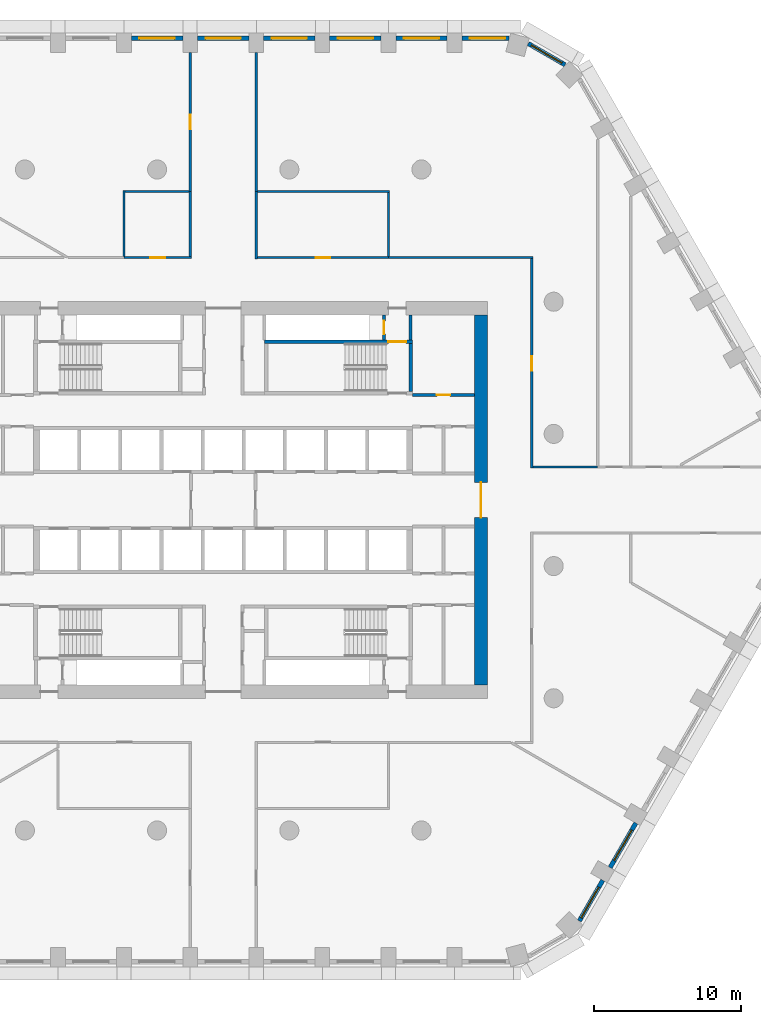
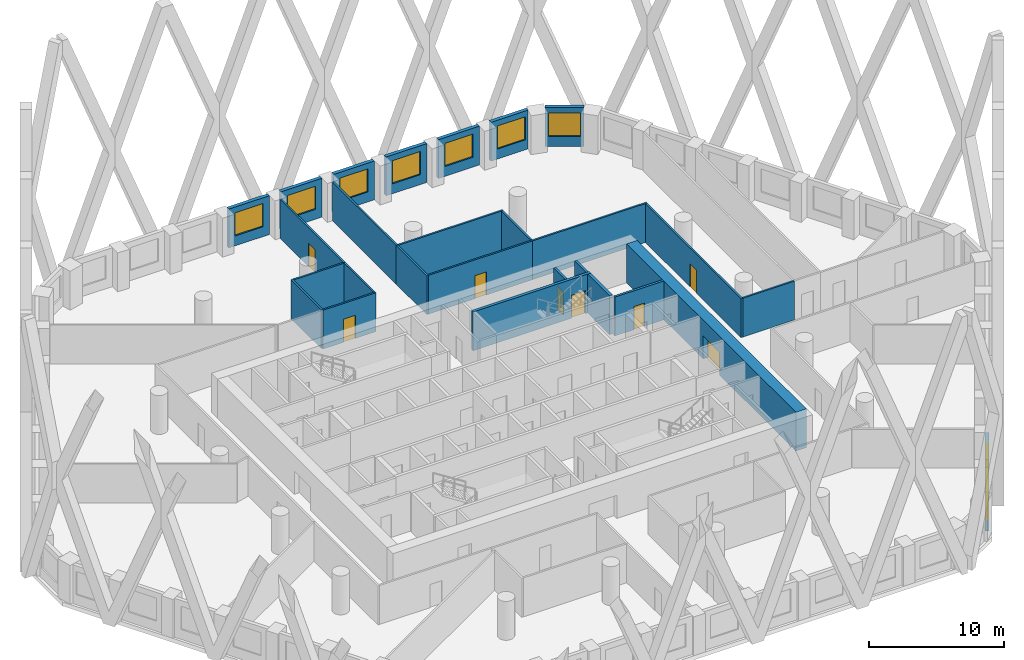
# One storey, part 7 of 18: 28 walls, 9 windows, 8 doors, 17 openings.
"""IFC4 building model written with IfcOpenShell, lengths in metres."""

from ifc_helpers import new_model, si_unit, direction, frame, frame_2d, origin, place, context, subcontext, project, spatial, rectangle, extrude, material, layer, layer_set, type_object, element, fill, save


model = new_model("IFC4")

# Units and contexts
model_context = context("Model", 3, precision=1e-05, world=origin(), true_north=direction((0.0, 1.0)))
body_context = subcontext(model_context, "Body", "Model", "MODEL_VIEW")
ifc_project = project(units=[si_unit("LENGTHUNIT", "METRE"), si_unit("AREAUNIT", "SQUARE_METRE"), si_unit("VOLUMEUNIT", "CUBIC_METRE"), si_unit("PLANEANGLEUNIT", "RADIAN"), si_unit("MASSUNIT", "GRAM", prefix="KILO")], contexts=[model_context])

# Site, building, storey
site_placement = place(None, origin())
site = spatial("IfcSite", under=ifc_project, at=site_placement, CompositionType="ELEMENT")
building_placement = place(site_placement, origin())
building = spatial("IfcBuilding", under=site, at=building_placement, Name="Dhurran Vertical Campus", CompositionType="ELEMENT")
storey_placement = place(building_placement, frame((0.0, 0.0, 81.300048828125)))
storey = spatial("IfcBuildingStorey", under=building, at=storey_placement, Name="L19", CompositionType="ELEMENT", Elevation=81.300048828125)

# Wall, opening, window
ifc_material_1 = material(Name="Precast concrete C50/60", Category="concrete")
ifc_layer_1 = layer(ifc_material_1, 0.300048828125)
ifc_layer_set_1 = layer_set([ifc_layer_1], Name="Precast concrete C50/60")
wall_type_1 = type_object("IfcWallType", Name="Precast spandrel wall 300", PredefinedType="SOLIDWALL", material=ifc_layer_set_1)
wall_1_placement = place(storey_placement, frame((24.24755859375, -28.65576171875, 0.0), z_axis=(0.0, 0.0, 1.0), x_axis=(0.500004907028, 0.866022570692, 0.0)))
wall_1 = element("IfcWall", 1, at=wall_1_placement, inside=storey, type_object=wall_type_1, Name="EW1 L19.10", PredefinedType="SOLIDWALL", context=body_context, shape_type="SweptSolid", body=[
    extrude(rectangle(XDim=3.1923828125, YDim=0.300048828125, at=frame_2d((1.59619140625, 0.0))), origin(), (0.0, 0.0, 1.0), 3.52490234375),
])
opening_1_placement = place(wall_1_placement, frame((0.242919921875, 0.0, 0.89990234375)))
opening_1 = element("IfcOpeningElement", 2, at=opening_1_placement, cuts=wall_1, Name="Opening WT1", PredefinedType="OPENING", context=body_context, shape_type="SweptSolid", body=[
    extrude(rectangle(XDim=2.39990234375, YDim=2.10009765625, at=frame_2d((1.199951171875, 1.050048828125))), frame((0.0, 0.159912109375, 0.0), z_axis=(0.0, -1.0, 0.0), x_axis=(1.0, 0.0, 0.0)), (0.0, 0.0, 1.0), 0.320068359375),
])
ifc_material_2 = material(Name="Aluminium frame with solar-control glass", Category="aluminium")
window_type = type_object("IfcWindowType", Name="Punched window 2400 x 2100", PartitioningType="SINGLE_PANEL", PredefinedType="WINDOW", material=ifc_material_2)
window_1_placement = place(opening_1_placement, origin())
window_1 = element("IfcWindow", 3, at=window_1_placement, inside=storey, type_object=window_type, Name="WT1 L19.10", OverallHeight=2.10009765625, OverallWidth=2.39990234375, PartitioningType="SINGLE_PANEL", PredefinedType="WINDOW", context=body_context, shape_type="SweptSolid", body=[
    extrude(rectangle(XDim=2.39990234375, YDim=2.10009765625, at=frame_2d((1.199951171875, 1.050048828125))), frame((0.0, 0.030029296875, 0.0), z_axis=(0.0, -1.0, 0.0), x_axis=(1.0, 0.0, 0.0)), (0.0, 0.0, 1.0), 0.06005859375),
])
fill(opening_1, window_1)

wall_2_placement = place(storey_placement, frame((26.34423828125, -25.024169921875, 0.0), z_axis=(0.0, 0.0, 1.0), x_axis=(0.499996256241, 0.866027565234, 0.0)))
wall_2 = element("IfcWall", 4, at=wall_2_placement, inside=storey, type_object=wall_type_1, Name="EW1 L19.11", PredefinedType="SOLIDWALL", context=body_context, shape_type="SweptSolid", body=[
    extrude(rectangle(XDim=3.4990234375, YDim=0.300048828125, at=frame_2d((1.74951171875, 0.0))), origin(), (0.0, 0.0, 1.0), 3.52490234375),
])
opening_2_placement = place(wall_2_placement, frame((0.549560546875, 0.0, 0.89990234375)))
opening_2 = element("IfcOpeningElement", 5, at=opening_2_placement, cuts=wall_2, Name="Opening WT1", PredefinedType="OPENING", context=body_context, shape_type="SweptSolid", body=[
    extrude(rectangle(XDim=2.39990234375, YDim=2.10009765625, at=frame_2d((1.199951171875, 1.050048828125))), frame((0.0, 0.159912109375, 0.0), z_axis=(0.0, -1.0, 0.0), x_axis=(1.0, 0.0, 0.0)), (0.0, 0.0, 1.0), 0.320068359375),
])
window_2_placement = place(opening_2_placement, origin())
window_2 = element("IfcWindow", 6, at=window_2_placement, inside=storey, type_object=window_type, Name="WT1 L19.11", OverallHeight=2.10009765625, OverallWidth=2.39990234375, PartitioningType="SINGLE_PANEL", PredefinedType="WINDOW", context=body_context, shape_type="SweptSolid", body=[
    extrude(rectangle(XDim=2.39990234375, YDim=2.10009765625, at=frame_2d((1.199951171875, 1.050048828125))), frame((0.0, 0.030029296875, 0.0), z_axis=(0.0, -1.0, 0.0), x_axis=(1.0, 0.0, 0.0)), (0.0, 0.0, 1.0), 0.06005859375),
])
fill(opening_2, window_2)

wall_3_placement = place(storey_placement, frame((23.273193359375, 29.63037109375, 0.0), z_axis=(0.0, 0.0, 1.0), x_axis=(-0.866053149362, 0.49995194017, 0.0)))
wall_3 = element("IfcWall", 7, at=wall_3_placement, inside=storey, type_object=wall_type_1, Name="EW1 L19.25", PredefinedType="SOLIDWALL", context=body_context, shape_type="SweptSolid", body=[
    extrude(rectangle(XDim=2.885498046875, YDim=0.300048828125, at=frame_2d((1.44287109375, 0.0))), origin(), (0.0, 0.0, 1.0), 3.52490234375),
])
opening_3_placement = place(wall_3_placement, frame((0.242919921875, 0.0, 0.89990234375)))
opening_3 = element("IfcOpeningElement", 8, at=opening_3_placement, cuts=wall_3, Name="Opening WT1", PredefinedType="OPENING", context=body_context, shape_type="SweptSolid", body=[
    extrude(rectangle(XDim=2.39990234375, YDim=2.10009765625, at=frame_2d((1.199951171875, 1.050048828125))), frame((0.0, 0.159912109375, 0.0), z_axis=(0.0, -1.0, 0.0), x_axis=(1.0, 0.0, 0.0)), (0.0, 0.0, 1.0), 0.320068359375),
])
window_3_placement = place(opening_3_placement, origin())
window_3 = element("IfcWindow", 9, at=window_3_placement, inside=storey, type_object=window_type, Name="WT1 L19.25", OverallHeight=2.10009765625, OverallWidth=2.39990234375, PartitioningType="SINGLE_PANEL", PredefinedType="WINDOW", context=body_context, shape_type="SweptSolid", body=[
    extrude(rectangle(XDim=2.39990234375, YDim=2.10009765625, at=frame_2d((1.199951171875, 1.050048828125))), frame((0.0, 0.030029296875, 0.0), z_axis=(0.0, -1.0, 0.0), x_axis=(1.0, 0.0, 0.0)), (0.0, 0.0, 1.0), 0.06005859375),
])
fill(opening_3, window_3)

wall_4_placement = place(storey_placement, frame((19.44287109375, 31.4296875, 0.0), z_axis=(0.0, 0.0, 1.0), x_axis=(-1.0, 0.0, 0.0)))
wall_4 = element("IfcWall", 10, at=wall_4_placement, inside=storey, type_object=wall_type_1, Name="EW1 L19.26", PredefinedType="SOLIDWALL", context=body_context, shape_type="SweptSolid", body=[
    extrude(rectangle(XDim=3.1923828125, YDim=0.300048828125, at=frame_2d((1.59619140625, 0.0))), origin(), (0.0, 0.0, 1.0), 3.52490234375),
])
opening_4_placement = place(wall_4_placement, frame((0.242919921875, 0.0, 0.89990234375)))
opening_4 = element("IfcOpeningElement", 11, at=opening_4_placement, cuts=wall_4, Name="Opening WT1", PredefinedType="OPENING", context=body_context, shape_type="SweptSolid", body=[
    extrude(rectangle(XDim=2.39990234375, YDim=2.10009765625, at=frame_2d((1.199951171875, 1.050048828125))), frame((0.0, 0.159912109375, 0.0), z_axis=(0.0, -1.0, 0.0), x_axis=(1.0, 0.0, 0.0)), (0.0, 0.0, 1.0), 0.320068359375),
])
window_4_placement = place(opening_4_placement, origin())
window_4 = element("IfcWindow", 12, at=window_4_placement, inside=storey, type_object=window_type, Name="WT1 L19.26", OverallHeight=2.10009765625, OverallWidth=2.39990234375, PartitioningType="SINGLE_PANEL", PredefinedType="WINDOW", context=body_context, shape_type="SweptSolid", body=[
    extrude(rectangle(XDim=2.39990234375, YDim=2.10009765625, at=frame_2d((1.199951171875, 1.050048828125))), frame((0.0, 0.030029296875, 0.0), z_axis=(0.0, -1.0, 0.0), x_axis=(1.0, 0.0, 0.0)), (0.0, 0.0, 1.0), 0.06005859375),
])
fill(opening_4, window_4)

wall_5_placement = place(storey_placement, frame((15.24951171875, 31.4296875, 0.0), z_axis=(0.0, 0.0, 1.0), x_axis=(-1.0, 0.0, 0.0)))
wall_5 = element("IfcWall", 13, at=wall_5_placement, inside=storey, type_object=wall_type_1, Name="EW1 L19.27", PredefinedType="SOLIDWALL", context=body_context, shape_type="SweptSolid", body=[
    extrude(rectangle(XDim=3.4990234375, YDim=0.300048828125, at=frame_2d((1.74951171875, 0.0))), origin(), (0.0, 0.0, 1.0), 3.52490234375),
])
opening_5_placement = place(wall_5_placement, frame((0.549560546875, 0.0, 0.89990234375)))
opening_5 = element("IfcOpeningElement", 14, at=opening_5_placement, cuts=wall_5, Name="Opening WT1", PredefinedType="OPENING", context=body_context, shape_type="SweptSolid", body=[
    extrude(rectangle(XDim=2.39990234375, YDim=2.10009765625, at=frame_2d((1.199951171875, 1.050048828125))), frame((0.0, 0.159912109375, 0.0), z_axis=(0.0, -1.0, 0.0), x_axis=(1.0, 0.0, 0.0)), (0.0, 0.0, 1.0), 0.320068359375),
])
window_5_placement = place(opening_5_placement, origin())
window_5 = element("IfcWindow", 15, at=window_5_placement, inside=storey, type_object=window_type, Name="WT1 L19.27", OverallHeight=2.10009765625, OverallWidth=2.39990234375, PartitioningType="SINGLE_PANEL", PredefinedType="WINDOW", context=body_context, shape_type="SweptSolid", body=[
    extrude(rectangle(XDim=2.39990234375, YDim=2.10009765625, at=frame_2d((1.199951171875, 1.050048828125))), frame((0.0, 0.030029296875, 0.0), z_axis=(0.0, -1.0, 0.0), x_axis=(1.0, 0.0, 0.0)), (0.0, 0.0, 1.0), 0.06005859375),
])
fill(opening_5, window_5)

wall_6_placement = place(storey_placement, frame((10.74951171875, 31.4296875, 0.0), z_axis=(0.0, 0.0, 1.0), x_axis=(-1.0, 0.0, 0.0)))
wall_6 = element("IfcWall", 16, at=wall_6_placement, inside=storey, type_object=wall_type_1, Name="EW1 L19.28", PredefinedType="SOLIDWALL", context=body_context, shape_type="SweptSolid", body=[
    extrude(rectangle(XDim=3.4990234375, YDim=0.300048828125, at=frame_2d((1.74951171875, 0.0))), origin(), (0.0, 0.0, 1.0), 3.52490234375),
])
opening_6_placement = place(wall_6_placement, frame((0.549560546875, 0.0, 0.89990234375)))
opening_6 = element("IfcOpeningElement", 17, at=opening_6_placement, cuts=wall_6, Name="Opening WT1", PredefinedType="OPENING", context=body_context, shape_type="SweptSolid", body=[
    extrude(rectangle(XDim=2.39990234375, YDim=2.10009765625, at=frame_2d((1.199951171875, 1.050048828125))), frame((0.0, 0.159912109375, 0.0), z_axis=(0.0, -1.0, 0.0), x_axis=(1.0, 0.0, 0.0)), (0.0, 0.0, 1.0), 0.320068359375),
])
window_6_placement = place(opening_6_placement, origin())
window_6 = element("IfcWindow", 18, at=window_6_placement, inside=storey, type_object=window_type, Name="WT1 L19.28", OverallHeight=2.10009765625, OverallWidth=2.39990234375, PartitioningType="SINGLE_PANEL", PredefinedType="WINDOW", context=body_context, shape_type="SweptSolid", body=[
    extrude(rectangle(XDim=2.39990234375, YDim=2.10009765625, at=frame_2d((1.199951171875, 1.050048828125))), frame((0.0, 0.030029296875, 0.0), z_axis=(0.0, -1.0, 0.0), x_axis=(1.0, 0.0, 0.0)), (0.0, 0.0, 1.0), 0.06005859375),
])
fill(opening_6, window_6)

wall_7_placement = place(storey_placement, frame((6.24951171875, 31.4296875, 0.0), z_axis=(0.0, 0.0, 1.0), x_axis=(-1.0, 0.0, 0.0)))
wall_7 = element("IfcWall", 19, at=wall_7_placement, inside=storey, type_object=wall_type_1, Name="EW1 L19.29", PredefinedType="SOLIDWALL", context=body_context, shape_type="SweptSolid", body=[
    extrude(rectangle(XDim=3.4990234375, YDim=0.300048828125, at=frame_2d((1.74951171875, 0.0))), origin(), (0.0, 0.0, 1.0), 3.52490234375),
])
opening_7_placement = place(wall_7_placement, frame((0.549560546875, 0.0, 0.89990234375)))
opening_7 = element("IfcOpeningElement", 20, at=opening_7_placement, cuts=wall_7, Name="Opening WT1", PredefinedType="OPENING", context=body_context, shape_type="SweptSolid", body=[
    extrude(rectangle(XDim=2.39990234375, YDim=2.10009765625, at=frame_2d((1.199951171875, 1.050048828125))), frame((0.0, 0.159912109375, 0.0), z_axis=(0.0, -1.0, 0.0), x_axis=(1.0, 0.0, 0.0)), (0.0, 0.0, 1.0), 0.320068359375),
])
window_7_placement = place(opening_7_placement, origin())
window_7 = element("IfcWindow", 21, at=window_7_placement, inside=storey, type_object=window_type, Name="WT1 L19.29", OverallHeight=2.10009765625, OverallWidth=2.39990234375, PartitioningType="SINGLE_PANEL", PredefinedType="WINDOW", context=body_context, shape_type="SweptSolid", body=[
    extrude(rectangle(XDim=2.39990234375, YDim=2.10009765625, at=frame_2d((1.199951171875, 1.050048828125))), frame((0.0, 0.030029296875, 0.0), z_axis=(0.0, -1.0, 0.0), x_axis=(1.0, 0.0, 0.0)), (0.0, 0.0, 1.0), 0.06005859375),
])
fill(opening_7, window_7)

wall_8_placement = place(storey_placement, frame((1.74951171875, 31.4296875, 0.0), z_axis=(0.0, 0.0, 1.0), x_axis=(-1.0, 0.0, 0.0)))
wall_8 = element("IfcWall", 22, at=wall_8_placement, inside=storey, type_object=wall_type_1, Name="EW1 L19.30", PredefinedType="SOLIDWALL", context=body_context, shape_type="SweptSolid", body=[
    extrude(rectangle(XDim=3.4990234375, YDim=0.300048828125, at=frame_2d((1.74951171875, 0.0))), origin(), (0.0, 0.0, 1.0), 3.52490234375),
])
opening_8_placement = place(wall_8_placement, frame((0.549560546875, 0.0, 0.89990234375)))
opening_8 = element("IfcOpeningElement", 23, at=opening_8_placement, cuts=wall_8, Name="Opening WT1", PredefinedType="OPENING", context=body_context, shape_type="SweptSolid", body=[
    extrude(rectangle(XDim=2.39990234375, YDim=2.10009765625, at=frame_2d((1.199951171875, 1.050048828125))), frame((0.0, 0.159912109375, 0.0), z_axis=(0.0, -1.0, 0.0), x_axis=(1.0, 0.0, 0.0)), (0.0, 0.0, 1.0), 0.320068359375),
])
window_8_placement = place(opening_8_placement, origin())
window_8 = element("IfcWindow", 24, at=window_8_placement, inside=storey, type_object=window_type, Name="WT1 L19.30", OverallHeight=2.10009765625, OverallWidth=2.39990234375, PartitioningType="SINGLE_PANEL", PredefinedType="WINDOW", context=body_context, shape_type="SweptSolid", body=[
    extrude(rectangle(XDim=2.39990234375, YDim=2.10009765625, at=frame_2d((1.199951171875, 1.050048828125))), frame((0.0, 0.030029296875, 0.0), z_axis=(0.0, -1.0, 0.0), x_axis=(1.0, 0.0, 0.0)), (0.0, 0.0, 1.0), 0.06005859375),
])
fill(opening_8, window_8)

wall_9_placement = place(storey_placement, frame((-2.75048828125, 31.4296875, 0.0), z_axis=(0.0, 0.0, 1.0), x_axis=(-1.0, 0.0, 0.0)))
wall_9 = element("IfcWall", 25, at=wall_9_placement, inside=storey, type_object=wall_type_1, Name="EW1 L19.31", PredefinedType="SOLIDWALL", context=body_context, shape_type="SweptSolid", body=[
    extrude(rectangle(XDim=3.4990234375, YDim=0.300048828125, at=frame_2d((1.74951171875, 0.0))), origin(), (0.0, 0.0, 1.0), 3.52490234375),
])
opening_9_placement = place(wall_9_placement, frame((0.549560546875, 0.0, 0.89990234375)))
opening_9 = element("IfcOpeningElement", 26, at=opening_9_placement, cuts=wall_9, Name="Opening WT1", PredefinedType="OPENING", context=body_context, shape_type="SweptSolid", body=[
    extrude(rectangle(XDim=2.39990234375, YDim=2.10009765625, at=frame_2d((1.199951171875, 1.050048828125))), frame((0.0, 0.159912109375, 0.0), z_axis=(0.0, -1.0, 0.0), x_axis=(1.0, 0.0, 0.0)), (0.0, 0.0, 1.0), 0.320068359375),
])
window_9_placement = place(opening_9_placement, origin())
window_9 = element("IfcWindow", 27, at=window_9_placement, inside=storey, type_object=window_type, Name="WT1 L19.31", OverallHeight=2.10009765625, OverallWidth=2.39990234375, PartitioningType="SINGLE_PANEL", PredefinedType="WINDOW", context=body_context, shape_type="SweptSolid", body=[
    extrude(rectangle(XDim=2.39990234375, YDim=2.10009765625, at=frame_2d((1.199951171875, 1.050048828125))), frame((0.0, 0.030029296875, 0.0), z_axis=(0.0, -1.0, 0.0), x_axis=(1.0, 0.0, 0.0)), (0.0, 0.0, 1.0), 0.06005859375),
])
fill(opening_9, window_9)

# Wall, opening, door
ifc_material_3 = material(Name="Concrete C60/75", Category="concrete")
ifc_layer_2 = layer(ifc_material_3, 0.89990234375)
ifc_layer_set_2 = layer_set([ifc_layer_2], Name="Concrete C60/75")
wall_type_2 = type_object("IfcWallType", Name="co-CORE-WALL-C0-900", PredefinedType="SHEAR", material=ifc_layer_set_2)
wall_10_placement = place(storey_placement, frame((17.550048828125, -12.60009765625, 0.0), z_axis=(0.0, 0.0, 1.0), x_axis=(0.0, 1.0, 0.0)))
wall_10 = element("IfcWall", 28, at=wall_10_placement, inside=storey, type_object=wall_type_2, Name="Core wall E L19", PredefinedType="SHEAR", context=body_context, shape_type="SweptSolid", body=[
    extrude(rectangle(XDim=25.2001953125, YDim=0.89990234375, at=frame_2d((12.60009765625, 0.0))), origin(), (0.0, 0.0, 1.0), 3.52490234375),
])
opening_10_placement = place(wall_10_placement, frame((11.39990234375, 0.0, 0.0)))
opening_10 = element("IfcOpeningElement", 29, at=opening_10_placement, cuts=wall_10, Name="Opening CL2", PredefinedType="OPENING", context=body_context, shape_type="SweptSolid", body=[
    extrude(rectangle(XDim=2.39990234375, YDim=2.10009765625, at=frame_2d((1.199951171875, 1.050048828125))), frame((0.0, 0.4599609375, 0.0), z_axis=(0.0, -1.0, 0.0), x_axis=(1.0, 0.0, 0.0)), (0.0, 0.0, 1.0), 0.919921875),
])
ifc_material_4 = material(Name="Fire-rated glazed door set")
door_type_1 = type_object("IfcDoorType", Name="co-D-LOBBY 2400x2100", OperationType="DOUBLE_DOOR_DOUBLE_SWING", PredefinedType="DOOR", material=ifc_material_4)
door_1_placement = place(opening_10_placement, origin())
door_1 = element("IfcDoor", 30, at=door_1_placement, inside=storey, type_object=door_type_1, Name="Lift lobby door E L19", OperationType="DOUBLE_DOOR_DOUBLE_SWING", OverallHeight=2.10009765625, OverallWidth=2.39990234375, PredefinedType="DOOR", context=body_context, shape_type="SweptSolid", body=[
    extrude(rectangle(XDim=2.39990234375, YDim=2.10009765625, at=frame_2d((1.199951171875, 1.050048828125))), frame((0.0, 0.02490234375, 0.0), z_axis=(0.0, -1.0, 0.0), x_axis=(1.0, 0.0, 0.0)), (0.0, 0.0, 1.0), 0.050048828125),
])
fill(opening_10, door_1)

# Wall
ifc_material_5 = material(Name="Fire-rated masonry blockwork", Category="masonry")
ifc_layer_3 = layer(ifc_material_5, 0.199951171875)
ifc_layer_set_3 = layer_set([ifc_layer_3], Name="Fire-rated masonry blockwork")
wall_type_3 = type_object("IfcWallType", Name="co-FIRE-PARTITION-200", PredefinedType="PARTITIONING", material=ifc_layer_set_3)
wall_11_placement = place(storey_placement, frame((12.75, 10.89990234375, 0.0), z_axis=(0.0, 0.0, 1.0), x_axis=(0.0, 1.0, 0.0)))
element("IfcWall", 31, at=wall_11_placement, inside=storey, type_object=wall_type_3, Name="Core partition pass-ST2-o L19", PredefinedType="PARTITIONING", context=body_context, shape_type="SweptSolid", body=[
    extrude(rectangle(XDim=1.7001953125, YDim=0.199951171875, at=frame_2d((0.85009765625, 0.0))), origin(), (0.0, 0.0, 1.0), 3.52490234375),
])

# Wall, opening, door
wall_12_placement = place(storey_placement, frame((10.949951171875, 10.89990234375, 0.0), z_axis=(0.0, 0.0, 1.0), x_axis=(0.0, 1.0, 0.0)))
wall_12 = element("IfcWall", 32, at=wall_12_placement, inside=storey, type_object=wall_type_3, Name="Core partition pass-ST2-i L19", PredefinedType="PARTITIONING", context=body_context, shape_type="SweptSolid", body=[
    extrude(rectangle(XDim=1.7001953125, YDim=0.199951171875, at=frame_2d((0.85009765625, 0.0))), origin(), (0.0, 0.0, 1.0), 3.52490234375),
])
opening_11_placement = place(wall_12_placement, frame((0.39990234375, 0.0, 0.0)))
opening_11 = element("IfcOpeningElement", 33, at=opening_11_placement, cuts=wall_12, Name="Opening T05-C9", PredefinedType="OPENING", context=body_context, shape_type="SweptSolid", body=[
    extrude(rectangle(XDim=0.89990234375, YDim=2.10009765625, at=frame_2d((0.449951171875, 1.050048828125))), frame((0.0, 0.10986328125, 0.0), z_axis=(0.0, -1.0, 0.0), x_axis=(1.0, 0.0, 0.0)), (0.0, 0.0, 1.0), 0.219970703125),
])
ifc_material_6 = material(Name="Fire-rated timber door set", Category="wood")
door_type_2 = type_object("IfcDoorType", Name="co-D-ROOM 900x2100", OperationType="SINGLE_SWING_LEFT", PredefinedType="DOOR", material=ifc_material_6)
door_2_placement = place(opening_11_placement, origin())
door_2 = element("IfcDoor", 34, at=door_2_placement, inside=storey, type_object=door_type_2, Name="Riser room door L19", OperationType="SINGLE_SWING_LEFT", OverallHeight=2.10009765625, OverallWidth=0.89990234375, PredefinedType="DOOR", context=body_context, shape_type="SweptSolid", body=[
    extrude(rectangle(XDim=0.89990234375, YDim=2.10009765625, at=frame_2d((0.449951171875, 1.050048828125))), frame((0.0, 0.02490234375, 0.0), z_axis=(0.0, -1.0, 0.0), x_axis=(1.0, 0.0, 0.0)), (0.0, 0.0, 1.0), 0.050048828125),
])
fill(opening_11, door_2)

wall_13_placement = place(storey_placement, frame((12.89990234375, 7.14990234375, 0.0), z_axis=(0.0, 0.0, 1.0), x_axis=(1.0, 0.0, 0.0)))
wall_13 = element("IfcWall", 35, at=wall_13_placement, inside=storey, type_object=wall_type_3, Name="Core partition en-NE-w L19", PredefinedType="PARTITIONING", context=body_context, shape_type="SweptSolid", body=[
    extrude(rectangle(XDim=4.2001953125, YDim=0.199951171875, at=frame_2d((2.10009765625, 0.0))), origin(), (0.0, 0.0, 1.0), 3.52490234375),
])
opening_12_placement = place(wall_13_placement, frame((1.64990234375, 0.0, 0.0)))
opening_12 = element("IfcOpeningElement", 36, at=opening_12_placement, cuts=wall_13, Name="Opening T05-C16", PredefinedType="OPENING", context=body_context, shape_type="SweptSolid", body=[
    extrude(rectangle(XDim=0.89990234375, YDim=2.10009765625, at=frame_2d((0.449951171875, 1.050048828125))), frame((0.0, 0.10986328125, 0.0), z_axis=(0.0, -1.0, 0.0), x_axis=(1.0, 0.0, 0.0)), (0.0, 0.0, 1.0), 0.219970703125),
])
door_3_placement = place(opening_12_placement, origin())
door_3 = element("IfcDoor", 37, at=door_3_placement, inside=storey, type_object=door_type_2, Name="Waste room door L19", OperationType="SINGLE_SWING_LEFT", OverallHeight=2.10009765625, OverallWidth=0.89990234375, PredefinedType="DOOR", context=body_context, shape_type="SweptSolid", body=[
    extrude(rectangle(XDim=0.89990234375, YDim=2.10009765625, at=frame_2d((0.449951171875, 1.050048828125))), frame((0.0, 0.02490234375, 0.0), z_axis=(0.0, -1.0, 0.0), x_axis=(1.0, 0.0, 0.0)), (0.0, 0.0, 1.0), 0.050048828125),
])
fill(opening_12, door_3)

ifc_material_7 = material(Name="Concrete C40/50", Category="concrete")
ifc_layer_4 = layer(ifc_material_7, 0.25)
ifc_layer_set_4 = layer_set([ifc_layer_4], Name="Concrete C40/50")
wall_type_4 = type_object("IfcWallType", Name="co-STAIR-WALL-250", PredefinedType="SHEAR", material=ifc_layer_set_4)
wall_14_placement = place(storey_placement, frame((2.800048828125, 10.77490234375, 0.0), z_axis=(0.0, 0.0, 1.0), x_axis=(1.0, 0.0, 0.0)))
wall_14 = element("IfcWall", 38, at=wall_14_placement, inside=storey, type_object=wall_type_4, Name="Stair ST2 enclosure wall L19", PredefinedType="SHEAR", context=body_context, shape_type="SweptSolid", body=[
    extrude(rectangle(XDim=10.099853515625, YDim=0.25, at=frame_2d((5.0498046875, 0.0))), origin(), (0.0, 0.0, 1.0), 3.52490234375),
])
opening_13_placement = place(wall_14_placement, frame((8.449951171875, 0.0, 0.0)))
opening_13 = element("IfcOpeningElement", 39, at=opening_13_placement, cuts=wall_14, Name="Opening XS2", PredefinedType="OPENING", context=body_context, shape_type="SweptSolid", body=[
    extrude(rectangle(XDim=1.199951171875, YDim=2.10009765625, at=frame_2d((0.60009765625, 1.050048828125))), frame((0.0, 0.135009765625, 0.0), z_axis=(0.0, -1.0, 0.0), x_axis=(1.0, 0.0, 0.0)), (0.0, 0.0, 1.0), 0.27001953125),
])
ifc_material_8 = material(Name="Fire-rated steel door set", Category="steel")
door_type_3 = type_object("IfcDoorType", Name="co-D-STAIR-EXIT 1200x2100", OperationType="SINGLE_SWING_RIGHT", PredefinedType="DOOR", material=ifc_material_8)
door_4_placement = place(opening_13_placement, origin())
door_4 = element("IfcDoor", 40, at=door_4_placement, inside=storey, type_object=door_type_3, Name="Stair ST2 discharge door L19", OperationType="SINGLE_SWING_RIGHT", OverallHeight=2.10009765625, OverallWidth=1.199951171875, PredefinedType="DOOR", context=body_context, shape_type="SweptSolid", body=[
    extrude(rectangle(XDim=1.199951171875, YDim=2.10009765625, at=frame_2d((0.60009765625, 1.050048828125))), frame((0.0, 0.02490234375, 0.0), z_axis=(0.0, -1.0, 0.0), x_axis=(1.0, 0.0, 0.0)), (0.0, 0.0, 1.0), 0.050048828125),
])
fill(opening_13, door_4)

# Wall
wall_15_placement = place(storey_placement, frame((12.77490234375, 7.39990234375, 0.0), z_axis=(0.0, 0.0, 1.0), x_axis=(0.0, 1.0, 0.0)))
element("IfcWall", 41, at=wall_15_placement, inside=storey, type_object=wall_type_4, Name="Stair ST2 enclosure wall L19", PredefinedType="SHEAR", context=body_context, shape_type="SweptSolid", body=[
    extrude(rectangle(XDim=3.25, YDim=0.25, at=frame_2d((1.625, 0.0))), origin(), (0.0, 0.0, 1.0), 3.52490234375),
])

# Wall, opening, door
ifc_material_9 = material(Name="Gypsum board corridor wall on steel studs", Category="steel")
ifc_layer_5 = layer(ifc_material_9, 0.14990234375)
ifc_layer_set_5 = layer_set([ifc_layer_5], Name="Gypsum board corridor wall on steel studs")
wall_type_5 = type_object("IfcWallType", Name="fl-CW-150 corridor wall", PredefinedType="PARTITIONING", material=ifc_layer_set_5)
wall_16_placement = place(storey_placement, frame((-2.175048828125, 16.5, 0.0), z_axis=(0.0, 0.0, 1.0), x_axis=(-1.0, 0.0, 0.0)))
wall_16 = element("IfcWall", 42, at=wall_16_placement, inside=storey, type_object=wall_type_5, Name="Partition 19-17", PredefinedType="PARTITIONING", context=body_context, shape_type="SweptSolid", body=[
    extrude(rectangle(XDim=4.574951171875, YDim=0.14990234375, at=frame_2d((2.28759765625, 0.0))), origin(), (0.0, 0.0, 1.0), 3.52490234375),
])
opening_14_placement = place(wall_16_placement, frame((1.78759765625, 0.0, 0.0)))
opening_14 = element("IfcOpeningElement", 43, at=opening_14_placement, cuts=wall_16, Name="Opening T05.07", PredefinedType="OPENING", context=body_context, shape_type="SweptSolid", body=[
    extrude(rectangle(XDim=1.0, YDim=2.10009765625, at=frame_2d((0.5, 1.050048828125))), frame((0.0, 0.0849609375, 0.0), z_axis=(0.0, -1.0, 0.0), x_axis=(1.0, 0.0, 0.0)), (0.0, 0.0, 1.0), 0.169921875),
])
ifc_material_10 = material(Name="Solid-core timber door set, fire-rated", Category="wood")
door_type_4 = type_object("IfcDoorType", Name="fl-D-1000x2100", OperationType="SINGLE_SWING_LEFT", PredefinedType="DOOR", material=ifc_material_10)
door_5_placement = place(opening_14_placement, origin())
door_5 = element("IfcDoor", 44, at=door_5_placement, inside=storey, type_object=door_type_4, Name="Door 19.07", OperationType="SINGLE_SWING_RIGHT", OverallHeight=2.10009765625, OverallWidth=1.0, PredefinedType="DOOR", context=body_context, shape_type="SweptSolid", body=[
    extrude(rectangle(XDim=1.0, YDim=2.10009765625, at=frame_2d((0.5, 1.050048828125))), frame((0.0, 0.02490234375, 0.0), z_axis=(0.0, -1.0, 0.0), x_axis=(1.0, 0.0, 0.0)), (0.0, 0.0, 1.0), 0.050048828125),
])
fill(opening_14, door_5)

# Wall
wall_17_placement = place(storey_placement, frame((-2.25, 16.574951171875, 0.0), z_axis=(0.0, 0.0, 1.0), x_axis=(0.0, 1.0, 0.0)))
element("IfcWall", 45, at=wall_17_placement, inside=storey, type_object=wall_type_5, Name="Partition 19-21", PredefinedType="PARTITIONING", context=body_context, shape_type="SweptSolid", body=[
    extrude(rectangle(XDim=4.425048828125, YDim=0.14990234375, at=frame_2d((2.21240234375, 0.0))), origin(), (0.0, 0.0, 1.0), 3.52490234375),
])

# Wall, opening, door
wall_18_placement = place(storey_placement, frame((-2.25, 21.0, 0.0), z_axis=(0.0, 0.0, 1.0), x_axis=(0.0, 1.0, 0.0)))
wall_18 = element("IfcWall", 46, at=wall_18_placement, inside=storey, type_object=wall_type_5, Name="Partition 19-22", PredefinedType="PARTITIONING", context=body_context, shape_type="SweptSolid", body=[
    extrude(rectangle(XDim=9.459716796875, YDim=0.14990234375, at=frame_2d((4.72998046875, 0.0))), origin(), (0.0, 0.0, 1.0), 3.52490234375),
])
opening_15_placement = place(wall_18_placement, frame((4.22998046875, 0.0, 0.0)))
opening_15 = element("IfcOpeningElement", 47, at=opening_15_placement, cuts=wall_18, Name="Opening T05.05", PredefinedType="OPENING", context=body_context, shape_type="SweptSolid", body=[
    extrude(rectangle(XDim=1.0, YDim=2.10009765625, at=frame_2d((0.5, 1.050048828125))), frame((0.0, 0.0849609375, 0.0), z_axis=(0.0, -1.0, 0.0), x_axis=(1.0, 0.0, 0.0)), (0.0, 0.0, 1.0), 0.169921875),
])
door_6_placement = place(opening_15_placement, origin())
door_6 = element("IfcDoor", 48, at=door_6_placement, inside=storey, type_object=door_type_4, Name="Door 19.05", OperationType="SINGLE_SWING_LEFT", OverallHeight=2.10009765625, OverallWidth=1.0, PredefinedType="DOOR", context=body_context, shape_type="SweptSolid", body=[
    extrude(rectangle(XDim=1.0, YDim=2.10009765625, at=frame_2d((0.5, 1.050048828125))), frame((0.0, 0.02490234375, 0.0), z_axis=(0.0, -1.0, 0.0), x_axis=(1.0, 0.0, 0.0)), (0.0, 0.0, 1.0), 0.050048828125),
])
fill(opening_15, door_6)

# Wall
wall_19_placement = place(storey_placement, frame((2.25, 21.0, 0.0), z_axis=(0.0, 0.0, 1.0), x_axis=(0.0, -1.0, 0.0)))
element("IfcWall", 49, at=wall_19_placement, inside=storey, type_object=wall_type_5, Name="Partition 19-27", PredefinedType="PARTITIONING", context=body_context, shape_type="SweptSolid", body=[
    extrude(rectangle(XDim=4.574951171875, YDim=0.14990234375, at=frame_2d((2.28759765625, 0.0))), origin(), (0.0, 0.0, 1.0), 3.52490234375),
])

# Wall, opening, door
wall_20_placement = place(storey_placement, frame((11.25, 16.5, 0.0), z_axis=(0.0, 0.0, 1.0), x_axis=(-1.0, 0.0, 0.0)))
wall_20 = element("IfcWall", 50, at=wall_20_placement, inside=storey, type_object=wall_type_5, Name="Partition 19-28", PredefinedType="PARTITIONING", context=body_context, shape_type="SweptSolid", body=[
    extrude(rectangle(XDim=8.925048828125, YDim=0.14990234375, at=frame_2d((4.46240234375, 0.0))), origin(), (0.0, 0.0, 1.0), 3.52490234375),
])
opening_16_placement = place(wall_20_placement, frame((3.96240234375, 0.0, 0.0)))
opening_16 = element("IfcOpeningElement", 51, at=opening_16_placement, cuts=wall_20, Name="Opening T05.09", PredefinedType="OPENING", context=body_context, shape_type="SweptSolid", body=[
    extrude(rectangle(XDim=1.0, YDim=2.10009765625, at=frame_2d((0.5, 1.050048828125))), frame((0.0, 0.0849609375, 0.0), z_axis=(0.0, -1.0, 0.0), x_axis=(1.0, 0.0, 0.0)), (0.0, 0.0, 1.0), 0.169921875),
])
door_7_placement = place(opening_16_placement, origin())
door_7 = element("IfcDoor", 52, at=door_7_placement, inside=storey, type_object=door_type_4, Name="Door 19.09", OperationType="SINGLE_SWING_RIGHT", OverallHeight=2.10009765625, OverallWidth=1.0, PredefinedType="DOOR", context=body_context, shape_type="SweptSolid", body=[
    extrude(rectangle(XDim=1.0, YDim=2.10009765625, at=frame_2d((0.5, 1.050048828125))), frame((0.0, 0.02490234375, 0.0), z_axis=(0.0, -1.0, 0.0), x_axis=(1.0, 0.0, 0.0)), (0.0, 0.0, 1.0), 0.050048828125),
])
fill(opening_16, door_7)

# Walls
wall_21_placement = place(storey_placement, frame((2.25, 30.459716796875, 0.0), z_axis=(0.0, 0.0, 1.0), x_axis=(0.0, -1.0, 0.0)))
element("IfcWall", 53, at=wall_21_placement, inside=storey, type_object=wall_type_5, Name="Partition 19-29", PredefinedType="PARTITIONING", context=body_context, shape_type="SweptSolid", body=[
    extrude(rectangle(XDim=9.459716796875, YDim=0.14990234375, at=frame_2d((4.72998046875, 0.0))), origin(), (0.0, 0.0, 1.0), 3.52490234375),
])
wall_22_placement = place(storey_placement, frame((21.074951171875, 16.5, 0.0), z_axis=(0.0, 0.0, 1.0), x_axis=(-1.0, 0.0, 0.0)))
element("IfcWall", 54, at=wall_22_placement, inside=storey, type_object=wall_type_5, Name="Partition 19-34", PredefinedType="PARTITIONING", context=body_context, shape_type="SweptSolid", body=[
    extrude(rectangle(XDim=9.824951171875, YDim=0.14990234375, at=frame_2d((4.91259765625, 0.0))), origin(), (0.0, 0.0, 1.0), 3.52490234375),
])

# Wall, opening, door
wall_23_placement = place(storey_placement, frame((21.0, 2.175048828125, 0.0), z_axis=(0.0, 0.0, 1.0), x_axis=(0.0, 1.0, 0.0)))
wall_23 = element("IfcWall", 55, at=wall_23_placement, inside=storey, type_object=wall_type_5, Name="Partition 19-39", PredefinedType="PARTITIONING", context=body_context, shape_type="SweptSolid", body=[
    extrude(rectangle(XDim=14.25, YDim=0.14990234375, at=frame_2d((7.125, 0.0))), origin(), (0.0, 0.0, 1.0), 3.52490234375),
])
opening_17_placement = place(wall_23_placement, frame((6.625, 0.0, 0.0)))
opening_17 = element("IfcOpeningElement", 56, at=opening_17_placement, cuts=wall_23, Name="Opening T05.11", PredefinedType="OPENING", context=body_context, shape_type="SweptSolid", body=[
    extrude(rectangle(XDim=1.0, YDim=2.10009765625, at=frame_2d((0.5, 1.050048828125))), frame((0.0, 0.0849609375, 0.0), z_axis=(0.0, -1.0, 0.0), x_axis=(1.0, 0.0, 0.0)), (0.0, 0.0, 1.0), 0.169921875),
])
door_8_placement = place(opening_17_placement, origin())
door_8 = element("IfcDoor", 57, at=door_8_placement, inside=storey, type_object=door_type_4, Name="Door 19.11", OperationType="SINGLE_SWING_RIGHT", OverallHeight=2.10009765625, OverallWidth=1.0, PredefinedType="DOOR", context=body_context, shape_type="SweptSolid", body=[
    extrude(rectangle(XDim=1.0, YDim=2.10009765625, at=frame_2d((0.5, 1.050048828125))), frame((0.0, 0.02490234375, 0.0), z_axis=(0.0, -1.0, 0.0), x_axis=(1.0, 0.0, 0.0)), (0.0, 0.0, 1.0), 0.050048828125),
])
fill(opening_17, door_8)

# Walls
wall_24_placement = place(storey_placement, frame((21.074951171875, 2.25, 0.0), z_axis=(0.0, 0.0, 1.0), x_axis=(1.0, 0.0, 0.0)))
element("IfcWall", 58, at=wall_24_placement, inside=storey, type_object=wall_type_5, Name="Partition 19-40", PredefinedType="PARTITIONING", context=body_context, shape_type="SweptSolid", body=[
    extrude(rectangle(XDim=4.425048828125, YDim=0.14990234375, at=frame_2d((2.21240234375, 0.0))), origin(), (0.0, 0.0, 1.0), 3.52490234375),
])
ifc_material_11 = material(Name="Gypsum board partition on steel studs", Category="steel")
ifc_layer_6 = layer(ifc_material_11, 0.14990234375)
ifc_layer_set_6 = layer_set([ifc_layer_6], Name="Gypsum board partition on steel studs")
wall_type_6 = type_object("IfcWallType", Name="fl-PW-150 fixed partition", PredefinedType="PARTITIONING", material=ifc_layer_set_6)
wall_25_placement = place(storey_placement, frame((-6.75, 21.074951171875, 0.0), z_axis=(0.0, 0.0, 1.0), x_axis=(0.0, -1.0, 0.0)))
element("IfcWall", 59, at=wall_25_placement, inside=storey, type_object=wall_type_6, Name="Partition 19-16", PredefinedType="PARTITIONING", context=body_context, shape_type="SweptSolid", body=[
    extrude(rectangle(XDim=4.5, YDim=0.14990234375, at=frame_2d((2.25, 0.0))), origin(), (0.0, 0.0, 1.0), 3.52490234375),
])
wall_26_placement = place(storey_placement, frame((-2.324951171875, 21.0, 0.0), z_axis=(0.0, 0.0, 1.0), x_axis=(-1.0, 0.0, 0.0)))
element("IfcWall", 60, at=wall_26_placement, inside=storey, type_object=wall_type_6, Name="Partition 19-18", PredefinedType="PARTITIONING", context=body_context, shape_type="SweptSolid", body=[
    extrude(rectangle(XDim=4.35009765625, YDim=0.14990234375, at=frame_2d((2.175048828125, 0.0))), origin(), (0.0, 0.0, 1.0), 3.52490234375),
])
wall_27_placement = place(storey_placement, frame((2.324951171875, 21.0, 0.0), z_axis=(0.0, 0.0, 1.0), x_axis=(1.0, 0.0, 0.0)))
element("IfcWall", 61, at=wall_27_placement, inside=storey, type_object=wall_type_6, Name="Partition 19-30", PredefinedType="PARTITIONING", context=body_context, shape_type="SweptSolid", body=[
    extrude(rectangle(XDim=9.0, YDim=0.14990234375, at=frame_2d((4.5, 0.0))), origin(), (0.0, 0.0, 1.0), 3.52490234375),
])
wall_28_placement = place(storey_placement, frame((11.25, 20.925048828125, 0.0), z_axis=(0.0, 0.0, 1.0), x_axis=(0.0, -1.0, 0.0)))
element("IfcWall", 62, at=wall_28_placement, inside=storey, type_object=wall_type_6, Name="Partition 19-33", PredefinedType="PARTITIONING", context=body_context, shape_type="SweptSolid", body=[
    extrude(rectangle(XDim=4.35009765625, YDim=0.14990234375, at=frame_2d((2.175048828125, 0.0))), origin(), (0.0, 0.0, 1.0), 3.52490234375),
])

save(model, "model.ifc")
